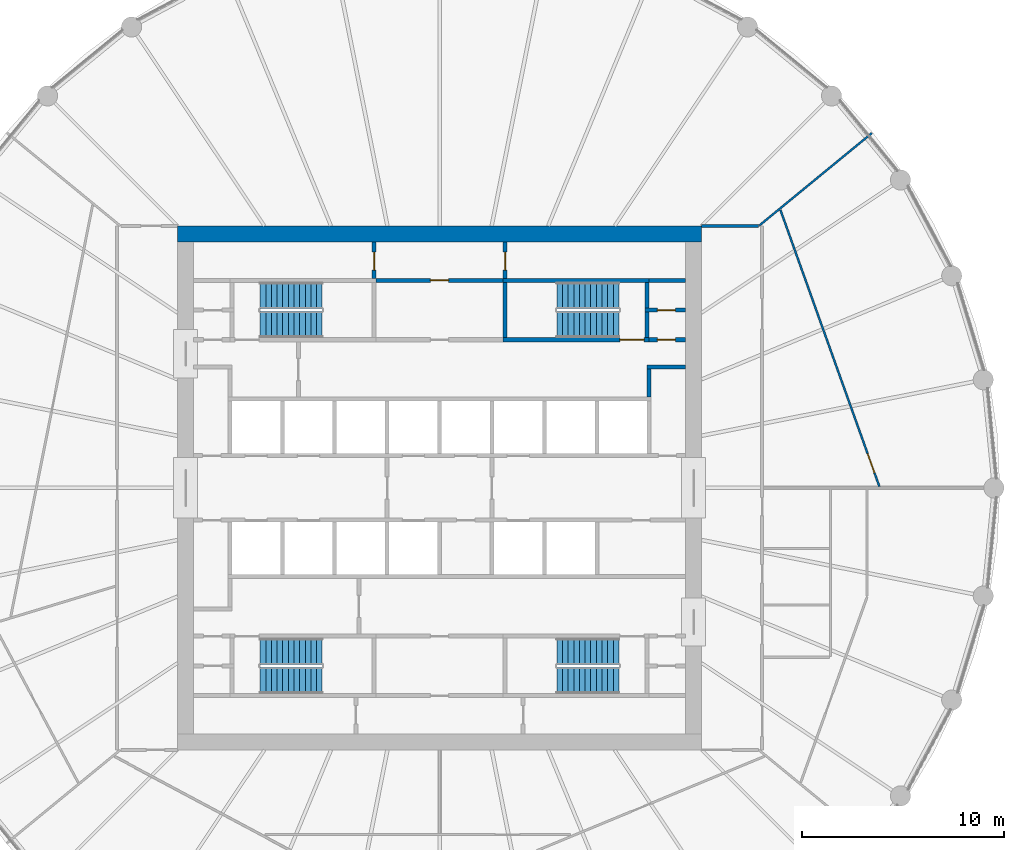
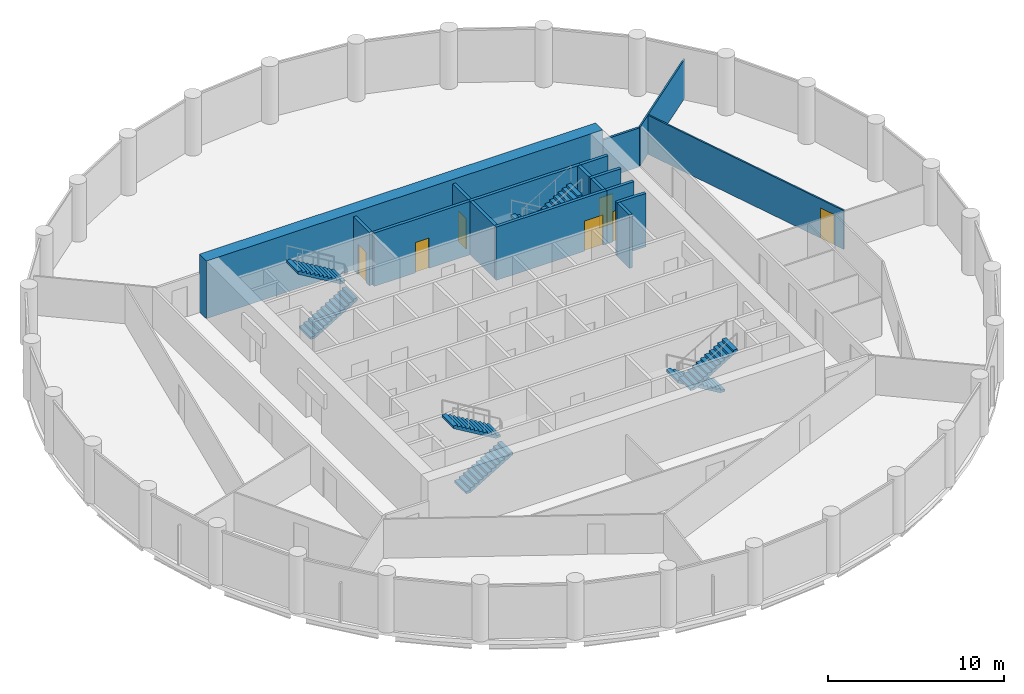
# One storey, part 7 of 8: 17 walls, 8 stair flights, 7 doors, 7 openings, 4 elements without a shape of their own.
"""IFC4 building model written with IfcOpenShell, lengths in metres."""

from ifc_helpers import new_model, si_unit, direction, frame, frame_2d, origin, place, context, subcontext, project, spatial, polyline, rectangle, outline, extrude, material, layer, layer_set, type_object, element, fill, aggregate, save


model = new_model("IFC4")

# Units and contexts
model_context = context("Model", 3, precision=1e-05, world=origin(), true_north=direction((0.0, 1.0)))
body_context = subcontext(model_context, "Body", "Model", "MODEL_VIEW")
ifc_project = project(units=[si_unit("LENGTHUNIT", "METRE"), si_unit("AREAUNIT", "SQUARE_METRE"), si_unit("VOLUMEUNIT", "CUBIC_METRE"), si_unit("PLANEANGLEUNIT", "RADIAN"), si_unit("MASSUNIT", "GRAM", prefix="KILO")], contexts=[model_context])

# Site, building, storey
site_placement = place(None, origin())
site = spatial("IfcSite", under=ifc_project, at=site_placement, CompositionType="ELEMENT")
building_placement = place(site_placement, origin())
building = spatial("IfcBuilding", under=site, at=building_placement, Name="Corvane Civic Tower", CompositionType="ELEMENT")
storey_placement = place(building_placement, frame((0.0, 0.0, 205.5)))
storey = spatial("IfcBuildingStorey", under=building, at=storey_placement, Name="L48", CompositionType="ELEMENT", Elevation=205.5)

# Wall
ifc_material_1 = material(Name="Concrete C50/60", Category="concrete")
ifc_layer_1 = layer(ifc_material_1, 0.800048828125)
ifc_layer_set_1 = layer_set([ifc_layer_1], Name="Concrete C50/60")
wall_type_1 = type_object("IfcWallType", Name="CORE WALL 800 C50/60", PredefinedType="SHEAR", material=ifc_layer_set_1)
wall_1_placement = place(storey_placement, frame((-13.0, 12.60009765625, 0.0), z_axis=(0.0, 0.0, 1.0), x_axis=(1.0, 0.0, 0.0)))
element("IfcWall", 1, at=wall_1_placement, inside=storey, type_object=wall_type_1, Name="W-L48-core-N", PredefinedType="SHEAR", context=body_context, shape_type="SweptSolid", body=[
    extrude(rectangle(XDim=26.0, YDim=0.800048828125, at=frame_2d((13.0, 0.0))), origin(), (0.0, 0.0, 1.0), 4.0),
])

# Wall, opening, door
ifc_material_2 = material(Name="Concrete C30/37", Category="concrete")
ifc_layer_2 = layer(ifc_material_2, 0.199951171875)
ifc_layer_set_2 = layer_set([ifc_layer_2], Name="Concrete C30/37")
wall_type_2 = type_object("IfcWallType", Name="CR-WALL-200", PredefinedType="PARTITIONING", material=ifc_layer_set_2)
wall_2_placement = place(storey_placement, frame((10.39990234375, 7.35009765625, 0.0), z_axis=(0.0, 0.0, 1.0), x_axis=(1.0, 0.0, 0.0)))
wall_2 = element("IfcWall", 2, at=wall_2_placement, inside=storey, type_object=wall_type_2, Name="L48 core partition wall", PredefinedType="PARTITIONING", context=body_context, shape_type="SweptSolid", body=[
    extrude(rectangle(XDim=1.800048828125, YDim=0.199951171875, at=frame_2d((0.89990234375, 0.0))), origin(), (0.0, 0.0, 1.0), 3.699951171875),
])
opening_1_placement = place(wall_2_placement, frame((0.39990234375, 0.0, 0.0)))
opening_1 = element("IfcOpeningElement", 3, at=opening_1_placement, cuts=wall_2, Name="Opening L48.C18", PredefinedType="OPENING", context=body_context, shape_type="SweptSolid", body=[
    extrude(rectangle(XDim=0.89990234375, YDim=2.10009765625, at=frame_2d((0.449951171875, 1.050048828125))), frame((0.0, 0.10986328125, 0.0), z_axis=(0.0, -1.0, 0.0), x_axis=(1.0, 0.0, 0.0)), (0.0, 0.0, 1.0), 0.219970703125),
])
ifc_material_3 = material(Name="Steel fire door leaf", Category="steel")
door_type_1 = type_object("IfcDoorType", Name="CR-DOOR-900", OperationType="SINGLE_SWING_LEFT", PredefinedType="DOOR", material=ifc_material_3)
door_1_placement = place(opening_1_placement, origin())
door_1 = element("IfcDoor", 4, at=door_1_placement, inside=storey, type_object=door_type_1, Name="L48 door", OperationType="SINGLE_SWING_LEFT", OverallHeight=2.10009765625, OverallWidth=0.89990234375, PredefinedType="DOOR", context=body_context, shape_type="SweptSolid", body=[
    extrude(rectangle(XDim=0.89990234375, YDim=2.10009765625, at=frame_2d((0.449951171875, 1.050048828125))), frame((0.0, 0.02490234375, 0.0), z_axis=(0.0, -1.0, 0.0), x_axis=(1.0, 0.0, 0.0)), (0.0, 0.0, 1.0), 0.050048828125),
])
fill(opening_1, door_1)

wall_3_placement = place(storey_placement, frame((10.199951171875, 8.824951171875, 0.0), z_axis=(0.0, 0.0, 1.0), x_axis=(1.0, 0.0, 0.0)))
wall_3 = element("IfcWall", 5, at=wall_3_placement, inside=storey, type_object=wall_type_2, Name="L48 partition wall", PredefinedType="PARTITIONING", context=body_context, shape_type="SweptSolid", body=[
    extrude(rectangle(XDim=2.0, YDim=0.199951171875, at=frame_2d((1.0, 0.0))), origin(), (0.0, 0.0, 1.0), 3.699951171875),
])
opening_2_placement = place(wall_3_placement, frame((0.60009765625, 0.0, 0.0)))
opening_2 = element("IfcOpeningElement", 6, at=opening_2_placement, cuts=wall_3, Name="Opening L48.C19", PredefinedType="OPENING", context=body_context, shape_type="SweptSolid", body=[
    extrude(rectangle(XDim=0.89990234375, YDim=2.10009765625, at=frame_2d((0.449951171875, 1.050048828125))), frame((0.0, 0.10986328125, 0.0), z_axis=(0.0, -1.0, 0.0), x_axis=(1.0, 0.0, 0.0)), (0.0, 0.0, 1.0), 0.219970703125),
])
door_2_placement = place(opening_2_placement, origin())
door_2 = element("IfcDoor", 7, at=door_2_placement, inside=storey, type_object=door_type_1, Name="L48 door", OperationType="SINGLE_SWING_LEFT", OverallHeight=2.10009765625, OverallWidth=0.89990234375, PredefinedType="DOOR", context=body_context, shape_type="SweptSolid", body=[
    extrude(rectangle(XDim=0.89990234375, YDim=2.10009765625, at=frame_2d((0.449951171875, 1.050048828125))), frame((0.0, 0.02490234375, 0.0), z_axis=(0.0, -1.0, 0.0), x_axis=(1.0, 0.0, 0.0)), (0.0, 0.0, 1.0), 0.050048828125),
])
fill(opening_2, door_2)

wall_4_placement = place(storey_placement, frame((-3.14990234375, 10.300048828125, 0.0), z_axis=(0.0, 0.0, 1.0), x_axis=(1.0, 0.0, 0.0)))
wall_4 = element("IfcWall", 8, at=wall_4_placement, inside=storey, type_object=wall_type_2, Name="L48 partition wall", PredefinedType="PARTITIONING", context=body_context, shape_type="SweptSolid", body=[
    extrude(rectangle(XDim=6.2998046875, YDim=0.199951171875, at=frame_2d((3.14990234375, 0.0))), origin(), (0.0, 0.0, 1.0), 3.699951171875),
])
opening_3_placement = place(wall_4_placement, frame((2.699951171875, 0.0, 0.0)))
opening_3 = element("IfcOpeningElement", 9, at=opening_3_placement, cuts=wall_4, Name="Opening L48.C09", PredefinedType="OPENING", context=body_context, shape_type="SweptSolid", body=[
    extrude(rectangle(XDim=0.89990234375, YDim=2.10009765625, at=frame_2d((0.449951171875, 1.050048828125))), frame((0.0, 0.10986328125, 0.0), z_axis=(0.0, -1.0, 0.0), x_axis=(1.0, 0.0, 0.0)), (0.0, 0.0, 1.0), 0.219970703125),
])
door_3_placement = place(opening_3_placement, origin())
door_3 = element("IfcDoor", 10, at=door_3_placement, inside=storey, type_object=door_type_1, Name="L48 door", OperationType="SINGLE_SWING_LEFT", OverallHeight=2.10009765625, OverallWidth=0.89990234375, PredefinedType="DOOR", context=body_context, shape_type="SweptSolid", body=[
    extrude(rectangle(XDim=0.89990234375, YDim=2.10009765625, at=frame_2d((0.449951171875, 1.050048828125))), frame((0.0, 0.02490234375, 0.0), z_axis=(0.0, -1.0, 0.0), x_axis=(1.0, 0.0, 0.0)), (0.0, 0.0, 1.0), 0.050048828125),
])
fill(opening_3, door_3)

wall_5_placement = place(storey_placement, frame((-3.25, 10.39990234375, 0.0), z_axis=(0.0, 0.0, 1.0), x_axis=(0.0, 1.0, 0.0)))
wall_5 = element("IfcWall", 11, at=wall_5_placement, inside=storey, type_object=wall_type_2, Name="L48 partition wall", PredefinedType="PARTITIONING", context=body_context, shape_type="SweptSolid", body=[
    extrude(rectangle(XDim=1.800048828125, YDim=0.199951171875, at=frame_2d((0.89990234375, 0.0))), origin(), (0.0, 0.0, 1.0), 3.699951171875),
])
opening_4_placement = place(wall_5_placement, frame((0.39990234375, 0.0, 0.0)))
opening_4 = element("IfcOpeningElement", 12, at=opening_4_placement, cuts=wall_5, Name="Opening L48.C08", PredefinedType="OPENING", context=body_context, shape_type="SweptSolid", body=[
    extrude(rectangle(XDim=0.89990234375, YDim=2.10009765625, at=frame_2d((0.449951171875, 1.050048828125))), frame((0.0, 0.10986328125, 0.0), z_axis=(0.0, -1.0, 0.0), x_axis=(1.0, 0.0, 0.0)), (0.0, 0.0, 1.0), 0.219970703125),
])
door_4_placement = place(opening_4_placement, origin())
door_4 = element("IfcDoor", 13, at=door_4_placement, inside=storey, type_object=door_type_1, Name="L48 door", OperationType="SINGLE_SWING_LEFT", OverallHeight=2.10009765625, OverallWidth=0.89990234375, PredefinedType="DOOR", context=body_context, shape_type="SweptSolid", body=[
    extrude(rectangle(XDim=0.89990234375, YDim=2.10009765625, at=frame_2d((0.449951171875, 1.050048828125))), frame((0.0, 0.02490234375, 0.0), z_axis=(0.0, -1.0, 0.0), x_axis=(1.0, 0.0, 0.0)), (0.0, 0.0, 1.0), 0.050048828125),
])
fill(opening_4, door_4)

wall_6_placement = place(storey_placement, frame((3.25, 10.39990234375, 0.0), z_axis=(0.0, 0.0, 1.0), x_axis=(0.0, 1.0, 0.0)))
wall_6 = element("IfcWall", 14, at=wall_6_placement, inside=storey, type_object=wall_type_2, Name="L48 partition wall", PredefinedType="PARTITIONING", context=body_context, shape_type="SweptSolid", body=[
    extrude(rectangle(XDim=1.800048828125, YDim=0.199951171875, at=frame_2d((0.89990234375, 0.0))), origin(), (0.0, 0.0, 1.0), 3.699951171875),
])
opening_5_placement = place(wall_6_placement, frame((0.39990234375, 0.0, 0.0)))
opening_5 = element("IfcOpeningElement", 15, at=opening_5_placement, cuts=wall_6, Name="Opening L48.C10", PredefinedType="OPENING", context=body_context, shape_type="SweptSolid", body=[
    extrude(rectangle(XDim=0.89990234375, YDim=2.10009765625, at=frame_2d((0.449951171875, 1.050048828125))), frame((0.0, 0.10986328125, 0.0), z_axis=(0.0, -1.0, 0.0), x_axis=(1.0, 0.0, 0.0)), (0.0, 0.0, 1.0), 0.219970703125),
])
door_5_placement = place(opening_5_placement, origin())
door_5 = element("IfcDoor", 16, at=door_5_placement, inside=storey, type_object=door_type_1, Name="L48 door", OperationType="SINGLE_SWING_LEFT", OverallHeight=2.10009765625, OverallWidth=0.89990234375, PredefinedType="DOOR", context=body_context, shape_type="SweptSolid", body=[
    extrude(rectangle(XDim=0.89990234375, YDim=2.10009765625, at=frame_2d((0.449951171875, 1.050048828125))), frame((0.0, 0.02490234375, 0.0), z_axis=(0.0, -1.0, 0.0), x_axis=(1.0, 0.0, 0.0)), (0.0, 0.0, 1.0), 0.050048828125),
])
fill(opening_5, door_5)

# Walls
wall_7_placement = place(storey_placement, origin())
element("IfcWall", 17, at=wall_7_placement, inside=storey, type_object=wall_type_2, Name="L48 core partition wall", PredefinedType="PARTITIONING", context=body_context, shape_type="SweptSolid", body=[
    extrude(outline(polyline([(12.199951171875, 5.89990234375), (10.300048828125, 5.89990234375), (10.300048828125, 6.10009765625), (12.199951171875, 6.10009765625), (12.199951171875, 5.89990234375)])), origin(), (0.0, 0.0, 1.0), 3.699951171875),
])
wall_8_placement = place(storey_placement, origin())
element("IfcWall", 18, at=wall_8_placement, inside=storey, type_object=wall_type_2, Name="L48 core partition wall", PredefinedType="PARTITIONING", context=body_context, shape_type="SweptSolid", body=[
    extrude(outline(polyline([(10.5, 4.5), (10.300048828125, 4.5), (10.300048828125, 5.89990234375), (10.5, 5.89990234375), (10.5, 4.5)])), origin(), (0.0, 0.0, 1.0), 3.699951171875),
])
wall_9_placement = place(storey_placement, origin())
element("IfcWall", 19, at=wall_9_placement, inside=storey, type_object=wall_type_2, Name="L48 core partition wall", PredefinedType="PARTITIONING", context=body_context, shape_type="SweptSolid", body=[
    extrude(outline(polyline([(10.39990234375, 10.199951171875), (10.39990234375, 10.39990234375), (12.199951171875, 10.39990234375), (12.199951171875, 10.199951171875), (10.39990234375, 10.199951171875)])), origin(), (0.0, 0.0, 1.0), 3.699951171875),
])

# Wall, opening, door
ifc_material_4 = material(Name="Plasterboard")
ifc_layer_3 = layer(ifc_material_4, 0.10009765625)
ifc_layer_set_3 = layer_set([ifc_layer_3], Name="Plasterboard")
wall_type_3 = type_object("IfcWallType", Name="Partition 100 plasterboard on studs", PredefinedType="PARTITIONING", material=ifc_layer_set_3)
wall_10_placement = place(storey_placement, frame((16.90869140625, 13.790283203125, 0.0), z_axis=(0.0, 0.0, 1.0), x_axis=(0.336895534634, -0.941542032383, 0.0)))
wall_10 = element("IfcWall", 20, at=wall_10_placement, inside=storey, type_object=wall_type_3, Name="Partition L48.022", PredefinedType="PARTITIONING", context=body_context, shape_type="SweptSolid", body=[
    extrude(rectangle(XDim=14.575439453125, YDim=0.10009765625, at=frame_2d((7.28759765625, 0.0))), origin(), (0.0, 0.0, 1.0), 2.699951171875),
])
opening_6_placement = place(wall_10_placement, frame((12.847900390625, 0.0, 0.0)))
opening_6 = element("IfcOpeningElement", 21, at=opening_6_placement, cuts=wall_10, Name="Opening L48.007", PredefinedType="OPENING", context=body_context, shape_type="SweptSolid", body=[
    extrude(rectangle(XDim=1.0, YDim=2.10009765625, at=frame_2d((0.5, 1.050048828125))), frame((0.0, 0.06005859375, 0.0), z_axis=(0.0, -1.0, 0.0), x_axis=(1.0, 0.0, 0.0)), (0.0, 0.0, 1.0), 0.1201171875),
])
ifc_material_5 = material(Name="Timber", Category="wood")
door_type_2 = type_object("IfcDoorType", Name="Single door 1000", OperationType="NOTDEFINED", PredefinedType="DOOR", material=ifc_material_5)
door_6_placement = place(opening_6_placement, origin())
door_6 = element("IfcDoor", 22, at=door_6_placement, inside=storey, type_object=door_type_2, Name="Door L48.007", OperationType="SINGLE_SWING_RIGHT", OverallHeight=2.10009765625, OverallWidth=1.0, PredefinedType="DOOR", context=body_context, shape_type="SweptSolid", body=[
    extrude(rectangle(XDim=1.0, YDim=2.10009765625, at=frame_2d((0.5, 1.050048828125))), frame((0.0, 0.02490234375, 0.0), z_axis=(0.0, -1.0, 0.0), x_axis=(1.0, 0.0, 0.0)), (0.0, 0.0, 1.0), 0.050048828125),
])
fill(opening_6, door_6)

# Wall
wall_11_placement = place(storey_placement, frame((15.8544921875, 13.01123046875, 0.0), z_axis=(0.0, 0.0, 1.0), x_axis=(0.772997895748, 0.634408585352, 0.0)))
element("IfcWall", 23, at=wall_11_placement, inside=storey, type_object=wall_type_3, Name="Partition L48.026", PredefinedType="PARTITIONING", context=body_context, shape_type="SweptSolid", body=[
    extrude(rectangle(XDim=7.240234375, YDim=0.10009765625, at=frame_2d((3.6201171875, 0.0))), origin(), (0.0, 0.0, 1.0), 2.699951171875),
])

# Wall, opening, door
ifc_material_6 = material(Name="Concrete C50/60", Category="concrete")
ifc_layer_4 = layer(ifc_material_6, 0.199951171875)
ifc_layer_set_4 = layer_set([ifc_layer_4], Name="Concrete C50/60")
wall_type_4 = type_object("IfcWallType", Name="ST-WALL-200", PredefinedType="SHEAR", material=ifc_layer_set_4)
wall_12_placement = place(storey_placement, frame((3.14990234375, 7.35009765625, 0.0), z_axis=(0.0, 0.0, 1.0), x_axis=(1.0, 0.0, 0.0)))
wall_12 = element("IfcWall", 24, at=wall_12_placement, inside=storey, type_object=wall_type_4, Name="L48 stair enclosure wall", PredefinedType="SHEAR", context=body_context, shape_type="SweptSolid", body=[
    extrude(rectangle(XDim=7.25, YDim=0.199951171875, at=frame_2d((3.625, 0.0))), origin(), (0.0, 0.0, 1.0), 3.699951171875),
])
opening_7_placement = place(wall_12_placement, frame((5.800048828125, 0.0, 0.0)))
opening_7 = element("IfcOpeningElement", 25, at=opening_7_placement, cuts=wall_12, Name="Opening L48.C22", PredefinedType="OPENING", context=body_context, shape_type="SweptSolid", body=[
    extrude(rectangle(XDim=1.199951171875, YDim=2.10009765625, at=frame_2d((0.60009765625, 1.050048828125))), frame((0.0, 0.10986328125, 0.0), z_axis=(0.0, -1.0, 0.0), x_axis=(1.0, 0.0, 0.0)), (0.0, 0.0, 1.0), 0.219970703125),
])
ifc_material_7 = material(Name="Steel fire door leaf", Category="steel")
door_type_3 = type_object("IfcDoorType", Name="ST-DOOR-1200", OperationType="SINGLE_SWING_RIGHT", PredefinedType="DOOR", material=ifc_material_7)
door_7_placement = place(opening_7_placement, origin())
door_7 = element("IfcDoor", 26, at=door_7_placement, inside=storey, type_object=door_type_3, Name="L48 stair door", OperationType="SINGLE_SWING_RIGHT", OverallHeight=2.10009765625, OverallWidth=1.199951171875, PredefinedType="DOOR", context=body_context, shape_type="SweptSolid", body=[
    extrude(rectangle(XDim=1.199951171875, YDim=2.10009765625, at=frame_2d((0.60009765625, 1.050048828125))), frame((0.0, 0.02490234375, 0.0), z_axis=(0.0, -1.0, 0.0), x_axis=(1.0, 0.0, 0.0)), (0.0, 0.0, 1.0), 0.050048828125),
])
fill(opening_7, door_7)

# Walls
wall_13_placement = place(storey_placement, origin())
element("IfcWall", 27, at=wall_13_placement, inside=storey, type_object=wall_type_4, Name="L48 stair enclosure wall", PredefinedType="SHEAR", context=body_context, shape_type="SweptSolid", body=[
    extrude(outline(polyline([(10.39990234375, 10.199951171875), (3.14990234375, 10.199951171875), (3.14990234375, 10.39990234375), (10.39990234375, 10.39990234375), (10.39990234375, 10.199951171875)])), origin(), (0.0, 0.0, 1.0), 3.699951171875),
])
wall_14_placement = place(storey_placement, origin())
element("IfcWall", 28, at=wall_14_placement, inside=storey, type_object=wall_type_4, Name="L48 stair enclosure wall", PredefinedType="SHEAR", context=body_context, shape_type="SweptSolid", body=[
    extrude(outline(polyline([(3.35009765625, 7.449951171875), (3.14990234375, 7.449951171875), (3.14990234375, 10.199951171875), (3.35009765625, 10.199951171875), (3.35009765625, 7.449951171875)])), origin(), (0.0, 0.0, 1.0), 3.699951171875),
])
wall_15_placement = place(storey_placement, origin())
element("IfcWall", 29, at=wall_15_placement, inside=storey, type_object=wall_type_4, Name="L48 stair enclosure wall", PredefinedType="SHEAR", context=body_context, shape_type="SweptSolid", body=[
    extrude(outline(polyline([(10.39990234375, 8.72509765625), (10.39990234375, 7.449951171875), (10.199951171875, 7.449951171875), (10.199951171875, 8.72509765625), (10.39990234375, 8.72509765625)])), origin(), (0.0, 0.0, 1.0), 3.699951171875),
])
wall_16_placement = place(storey_placement, origin())
element("IfcWall", 30, at=wall_16_placement, inside=storey, type_object=wall_type_4, Name="L48 stair enclosure wall", PredefinedType="SHEAR", context=body_context, shape_type="SweptSolid", body=[
    extrude(outline(polyline([(10.39990234375, 8.925048828125), (10.199951171875, 8.925048828125), (10.199951171875, 10.199951171875), (10.39990234375, 10.199951171875), (10.39990234375, 8.925048828125)])), origin(), (0.0, 0.0, 1.0), 3.699951171875),
])
ifc_material_8 = material(Name="Plasterboard")
ifc_layer_5 = layer(ifc_material_8, 0.14990234375)
ifc_layer_set_5 = layer_set([ifc_layer_5], Name="Plasterboard")
wall_type_5 = type_object("IfcWallType", Name="Tenancy wall 150 EI 60", PredefinedType="PARTITIONING", material=ifc_layer_set_5)
wall_17_placement = place(storey_placement, frame((12.989990234375, 13.0, 0.0), z_axis=(0.0, 0.0, 1.0), x_axis=(1.0, 0.0, 0.0)))
element("IfcWall", 31, at=wall_17_placement, inside=storey, type_object=wall_type_5, Name="Partition L48.024", PredefinedType="PARTITIONING", context=body_context, shape_type="SweptSolid", body=[
    extrude(rectangle(XDim=2.82373046875, YDim=0.14990234375, at=frame_2d((1.411865234375, 0.0))), origin(), (0.0, 0.0, 1.0), 2.699951171875),
])

# Stair, stair flights
ifc_material_9 = material(Name="Concrete C40/50", Category="concrete")
stair_type = type_object("IfcStairType", Name="ST-STAIR-HALFTURN", PredefinedType="HALF_TURN_STAIR", material=ifc_material_9)
stair_1_placement = place(storey_placement, origin())
stair_1 = element("IfcStair", 32, at=stair_1_placement, inside=storey, type_object=stair_type, Name="L48 Exit stair ST1", PredefinedType="HALF_TURN_STAIR")
ifc_material_10 = material(Name="Concrete C40/50", Category="concrete")
stair_flight_type = type_object("IfcStairFlightType", Name="ST-FLIGHT-RC", PredefinedType="STRAIGHT", material=ifc_material_10)
stair_flight_1_placement = place(storey_placement, frame((8.89990234375, 9.550048828125, 0.0), z_axis=(0.0, 0.0, 1.0), x_axis=(-1.0, 0.0, 0.0)))
stair_flight_1 = element("IfcStairFlight", 33, at=stair_flight_1_placement, type_object=stair_flight_type, Name="ST1 flight 1", NumberOfRisers=12, NumberOfTreads=11, PredefinedType="STRAIGHT", RiserHeight=0.166666667, TreadLength=0.28, context=body_context, shape_type="SweptSolid", body=[
    extrude(outline(polyline([(0.0, 0.0), (0.0, 0.166748046875), (0.280029296875, 0.166748046875), (0.280029296875, 0.333251953125), (0.56005859375, 0.333251953125), (0.56005859375, 0.5), (0.840087890625, 0.5), (0.840087890625, 0.666748046875), (1.1201171875, 0.666748046875), (1.1201171875, 0.833251953125), (1.39990234375, 0.833251953125), (1.39990234375, 1.0), (1.679931640625, 1.0), (1.679931640625, 1.166748046875), (1.9599609375, 1.166748046875), (1.9599609375, 1.333251953125), (2.239990234375, 1.333251953125), (2.239990234375, 1.5), (2.52001953125, 1.5), (2.52001953125, 1.666748046875), (2.800048828125, 1.666748046875), (2.800048828125, 1.833251953125), (3.080078125, 1.833251953125), (3.080078125, 2.0), (3.080078125, 1.658935546875), (0.29296875, 0.0), (0.0, 0.0)])), frame((0.0, 0.64990234375, 0.0), z_axis=(0.0, -1.0, 0.0), x_axis=(1.0, 0.0, 0.0)), (0.0, 0.0, 1.0), 1.300048828125),
])
stair_flight_2_placement = place(storey_placement, frame((5.820068359375, 8.10009765625, 2.0), z_axis=(0.0, 0.0, 1.0), x_axis=(1.0, 0.0, 0.0)))
stair_flight_2 = element("IfcStairFlight", 34, at=stair_flight_2_placement, type_object=stair_flight_type, Name="ST1 flight 2", NumberOfRisers=12, NumberOfTreads=11, PredefinedType="STRAIGHT", RiserHeight=0.166666667, TreadLength=0.28, context=body_context, shape_type="SweptSolid", body=[
    extrude(outline(polyline([(0.0, 0.0), (0.0, 0.166748046875), (0.280029296875, 0.166748046875), (0.280029296875, 0.333251953125), (0.56005859375, 0.333251953125), (0.56005859375, 0.5), (0.840087890625, 0.5), (0.840087890625, 0.666748046875), (1.1201171875, 0.666748046875), (1.1201171875, 0.833251953125), (1.39990234375, 0.833251953125), (1.39990234375, 1.0), (1.679931640625, 1.0), (1.679931640625, 1.166748046875), (1.9599609375, 1.166748046875), (1.9599609375, 1.333251953125), (2.239990234375, 1.333251953125), (2.239990234375, 1.5), (2.52001953125, 1.5), (2.52001953125, 1.666748046875), (2.800048828125, 1.666748046875), (2.800048828125, 1.833251953125), (3.080078125, 1.833251953125), (3.080078125, 2.0), (3.080078125, 1.658935546875), (0.29296875, 0.0), (0.0, 0.0)])), frame((0.0, 0.64990234375, 0.0), z_axis=(0.0, -1.0, 0.0), x_axis=(1.0, 0.0, 0.0)), (0.0, 0.0, 1.0), 1.300048828125),
])
aggregate(stair_1, [stair_flight_1, stair_flight_2])

stair_2_placement = place(storey_placement, origin())
stair_2 = element("IfcStair", 35, at=stair_2_placement, inside=storey, type_object=stair_type, Name="L48 Exit stair ST2", PredefinedType="HALF_TURN_STAIR")
stair_flight_3_placement = place(storey_placement, frame((8.89990234375, -8.10009765625, 0.0), z_axis=(0.0, 0.0, 1.0), x_axis=(-1.0, 0.0, 0.0)))
stair_flight_3 = element("IfcStairFlight", 36, at=stair_flight_3_placement, type_object=stair_flight_type, Name="ST2 flight 1", NumberOfRisers=12, NumberOfTreads=11, PredefinedType="STRAIGHT", RiserHeight=0.166666667, TreadLength=0.28, context=body_context, shape_type="SweptSolid", body=[
    extrude(outline(polyline([(0.0, 0.0), (0.0, 0.166748046875), (0.280029296875, 0.166748046875), (0.280029296875, 0.333251953125), (0.56005859375, 0.333251953125), (0.56005859375, 0.5), (0.840087890625, 0.5), (0.840087890625, 0.666748046875), (1.1201171875, 0.666748046875), (1.1201171875, 0.833251953125), (1.39990234375, 0.833251953125), (1.39990234375, 1.0), (1.679931640625, 1.0), (1.679931640625, 1.166748046875), (1.9599609375, 1.166748046875), (1.9599609375, 1.333251953125), (2.239990234375, 1.333251953125), (2.239990234375, 1.5), (2.52001953125, 1.5), (2.52001953125, 1.666748046875), (2.800048828125, 1.666748046875), (2.800048828125, 1.833251953125), (3.080078125, 1.833251953125), (3.080078125, 2.0), (3.080078125, 1.658935546875), (0.29296875, 0.0), (0.0, 0.0)])), frame((0.0, 0.64990234375, 0.0), z_axis=(0.0, -1.0, 0.0), x_axis=(1.0, 0.0, 0.0)), (0.0, 0.0, 1.0), 1.300048828125),
])
stair_flight_4_placement = place(storey_placement, frame((5.820068359375, -9.550048828125, 2.0), z_axis=(0.0, 0.0, 1.0), x_axis=(1.0, 0.0, 0.0)))
stair_flight_4 = element("IfcStairFlight", 37, at=stair_flight_4_placement, type_object=stair_flight_type, Name="ST2 flight 2", NumberOfRisers=12, NumberOfTreads=11, PredefinedType="STRAIGHT", RiserHeight=0.166666667, TreadLength=0.28, context=body_context, shape_type="SweptSolid", body=[
    extrude(outline(polyline([(0.0, 0.0), (0.0, 0.166748046875), (0.280029296875, 0.166748046875), (0.280029296875, 0.333251953125), (0.56005859375, 0.333251953125), (0.56005859375, 0.5), (0.840087890625, 0.5), (0.840087890625, 0.666748046875), (1.1201171875, 0.666748046875), (1.1201171875, 0.833251953125), (1.39990234375, 0.833251953125), (1.39990234375, 1.0), (1.679931640625, 1.0), (1.679931640625, 1.166748046875), (1.9599609375, 1.166748046875), (1.9599609375, 1.333251953125), (2.239990234375, 1.333251953125), (2.239990234375, 1.5), (2.52001953125, 1.5), (2.52001953125, 1.666748046875), (2.800048828125, 1.666748046875), (2.800048828125, 1.833251953125), (3.080078125, 1.833251953125), (3.080078125, 2.0), (3.080078125, 1.658935546875), (0.29296875, 0.0), (0.0, 0.0)])), frame((0.0, 0.64990234375, 0.0), z_axis=(0.0, -1.0, 0.0), x_axis=(1.0, 0.0, 0.0)), (0.0, 0.0, 1.0), 1.300048828125),
])
aggregate(stair_2, [stair_flight_3, stair_flight_4])

stair_3_placement = place(storey_placement, origin())
stair_3 = element("IfcStair", 38, at=stair_3_placement, inside=storey, type_object=stair_type, Name="L48 Exit stair ST3", PredefinedType="HALF_TURN_STAIR")
stair_flight_5_placement = place(storey_placement, frame((-8.89990234375, -9.550048828125, 0.0), z_axis=(0.0, 0.0, 1.0), x_axis=(1.0, 0.0, 0.0)))
stair_flight_5 = element("IfcStairFlight", 39, at=stair_flight_5_placement, type_object=stair_flight_type, Name="ST3 flight 1", NumberOfRisers=12, NumberOfTreads=11, PredefinedType="STRAIGHT", RiserHeight=0.166666667, TreadLength=0.28, context=body_context, shape_type="SweptSolid", body=[
    extrude(outline(polyline([(0.0, 0.0), (0.0, 0.166748046875), (0.280029296875, 0.166748046875), (0.280029296875, 0.333251953125), (0.56005859375, 0.333251953125), (0.56005859375, 0.5), (0.840087890625, 0.5), (0.840087890625, 0.666748046875), (1.1201171875, 0.666748046875), (1.1201171875, 0.833251953125), (1.39990234375, 0.833251953125), (1.39990234375, 1.0), (1.679931640625, 1.0), (1.679931640625, 1.166748046875), (1.9599609375, 1.166748046875), (1.9599609375, 1.333251953125), (2.239990234375, 1.333251953125), (2.239990234375, 1.5), (2.52001953125, 1.5), (2.52001953125, 1.666748046875), (2.800048828125, 1.666748046875), (2.800048828125, 1.833251953125), (3.080078125, 1.833251953125), (3.080078125, 2.0), (3.080078125, 1.658935546875), (0.29296875, 0.0), (0.0, 0.0)])), frame((0.0, 0.64990234375, 0.0), z_axis=(0.0, -1.0, 0.0), x_axis=(1.0, 0.0, 0.0)), (0.0, 0.0, 1.0), 1.300048828125),
])
stair_flight_6_placement = place(storey_placement, frame((-5.820068359375, -8.10009765625, 2.0), z_axis=(0.0, 0.0, 1.0), x_axis=(-1.0, 0.0, 0.0)))
stair_flight_6 = element("IfcStairFlight", 40, at=stair_flight_6_placement, type_object=stair_flight_type, Name="ST3 flight 2", NumberOfRisers=12, NumberOfTreads=11, PredefinedType="STRAIGHT", RiserHeight=0.166666667, TreadLength=0.28, context=body_context, shape_type="SweptSolid", body=[
    extrude(outline(polyline([(0.0, 0.0), (0.0, 0.166748046875), (0.280029296875, 0.166748046875), (0.280029296875, 0.333251953125), (0.56005859375, 0.333251953125), (0.56005859375, 0.5), (0.840087890625, 0.5), (0.840087890625, 0.666748046875), (1.1201171875, 0.666748046875), (1.1201171875, 0.833251953125), (1.39990234375, 0.833251953125), (1.39990234375, 1.0), (1.679931640625, 1.0), (1.679931640625, 1.166748046875), (1.9599609375, 1.166748046875), (1.9599609375, 1.333251953125), (2.239990234375, 1.333251953125), (2.239990234375, 1.5), (2.52001953125, 1.5), (2.52001953125, 1.666748046875), (2.800048828125, 1.666748046875), (2.800048828125, 1.833251953125), (3.080078125, 1.833251953125), (3.080078125, 2.0), (3.080078125, 1.658935546875), (0.29296875, 0.0), (0.0, 0.0)])), frame((0.0, 0.64990234375, 0.0), z_axis=(0.0, -1.0, 0.0), x_axis=(1.0, 0.0, 0.0)), (0.0, 0.0, 1.0), 1.300048828125),
])
aggregate(stair_3, [stair_flight_5, stair_flight_6])

stair_4_placement = place(storey_placement, origin())
stair_4 = element("IfcStair", 41, at=stair_4_placement, inside=storey, type_object=stair_type, Name="L48 Exit stair ST4", PredefinedType="HALF_TURN_STAIR")
stair_flight_7_placement = place(storey_placement, frame((-8.89990234375, 8.10009765625, 0.0), z_axis=(0.0, 0.0, 1.0), x_axis=(1.0, 0.0, 0.0)))
stair_flight_7 = element("IfcStairFlight", 42, at=stair_flight_7_placement, type_object=stair_flight_type, Name="ST4 flight 1", NumberOfRisers=12, NumberOfTreads=11, PredefinedType="STRAIGHT", RiserHeight=0.166666667, TreadLength=0.28, context=body_context, shape_type="SweptSolid", body=[
    extrude(outline(polyline([(0.0, 0.0), (0.0, 0.166748046875), (0.280029296875, 0.166748046875), (0.280029296875, 0.333251953125), (0.56005859375, 0.333251953125), (0.56005859375, 0.5), (0.840087890625, 0.5), (0.840087890625, 0.666748046875), (1.1201171875, 0.666748046875), (1.1201171875, 0.833251953125), (1.39990234375, 0.833251953125), (1.39990234375, 1.0), (1.679931640625, 1.0), (1.679931640625, 1.166748046875), (1.9599609375, 1.166748046875), (1.9599609375, 1.333251953125), (2.239990234375, 1.333251953125), (2.239990234375, 1.5), (2.52001953125, 1.5), (2.52001953125, 1.666748046875), (2.800048828125, 1.666748046875), (2.800048828125, 1.833251953125), (3.080078125, 1.833251953125), (3.080078125, 2.0), (3.080078125, 1.658935546875), (0.29296875, 0.0), (0.0, 0.0)])), frame((0.0, 0.64990234375, 0.0), z_axis=(0.0, -1.0, 0.0), x_axis=(1.0, 0.0, 0.0)), (0.0, 0.0, 1.0), 1.300048828125),
])
stair_flight_8_placement = place(storey_placement, frame((-5.820068359375, 9.550048828125, 2.0), z_axis=(0.0, 0.0, 1.0), x_axis=(-1.0, 0.0, 0.0)))
stair_flight_8 = element("IfcStairFlight", 43, at=stair_flight_8_placement, type_object=stair_flight_type, Name="ST4 flight 2", NumberOfRisers=12, NumberOfTreads=11, PredefinedType="STRAIGHT", RiserHeight=0.166666667, TreadLength=0.28, context=body_context, shape_type="SweptSolid", body=[
    extrude(outline(polyline([(0.0, 0.0), (0.0, 0.166748046875), (0.280029296875, 0.166748046875), (0.280029296875, 0.333251953125), (0.56005859375, 0.333251953125), (0.56005859375, 0.5), (0.840087890625, 0.5), (0.840087890625, 0.666748046875), (1.1201171875, 0.666748046875), (1.1201171875, 0.833251953125), (1.39990234375, 0.833251953125), (1.39990234375, 1.0), (1.679931640625, 1.0), (1.679931640625, 1.166748046875), (1.9599609375, 1.166748046875), (1.9599609375, 1.333251953125), (2.239990234375, 1.333251953125), (2.239990234375, 1.5), (2.52001953125, 1.5), (2.52001953125, 1.666748046875), (2.800048828125, 1.666748046875), (2.800048828125, 1.833251953125), (3.080078125, 1.833251953125), (3.080078125, 2.0), (3.080078125, 1.658935546875), (0.29296875, 0.0), (0.0, 0.0)])), frame((0.0, 0.64990234375, 0.0), z_axis=(0.0, -1.0, 0.0), x_axis=(1.0, 0.0, 0.0)), (0.0, 0.0, 1.0), 1.300048828125),
])
aggregate(stair_4, [stair_flight_7, stair_flight_8])

save(model, "model.ifc")
